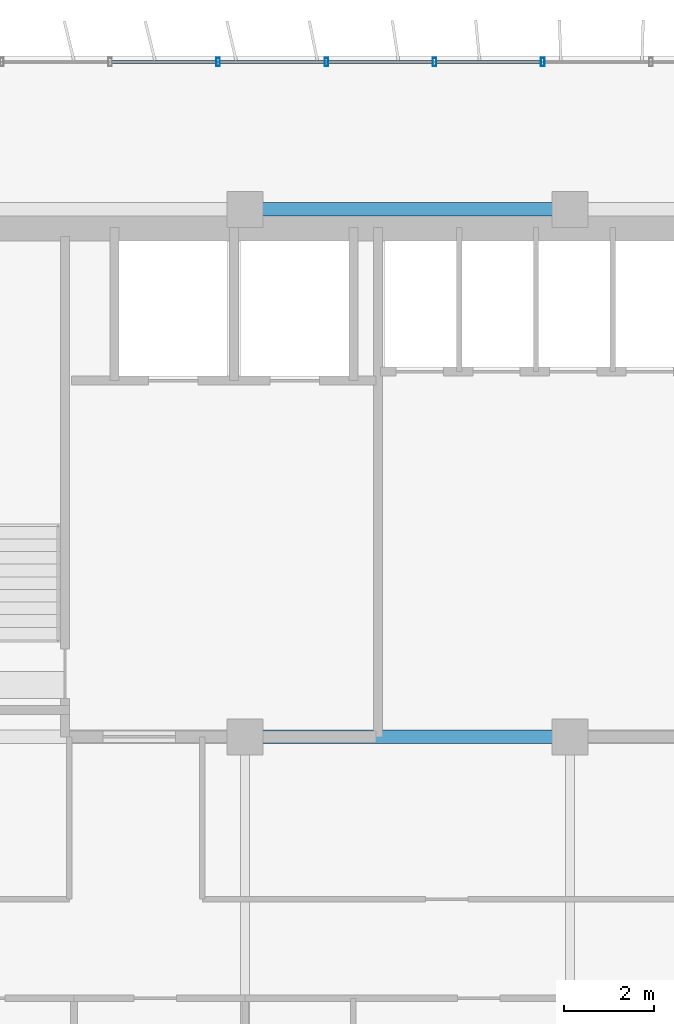
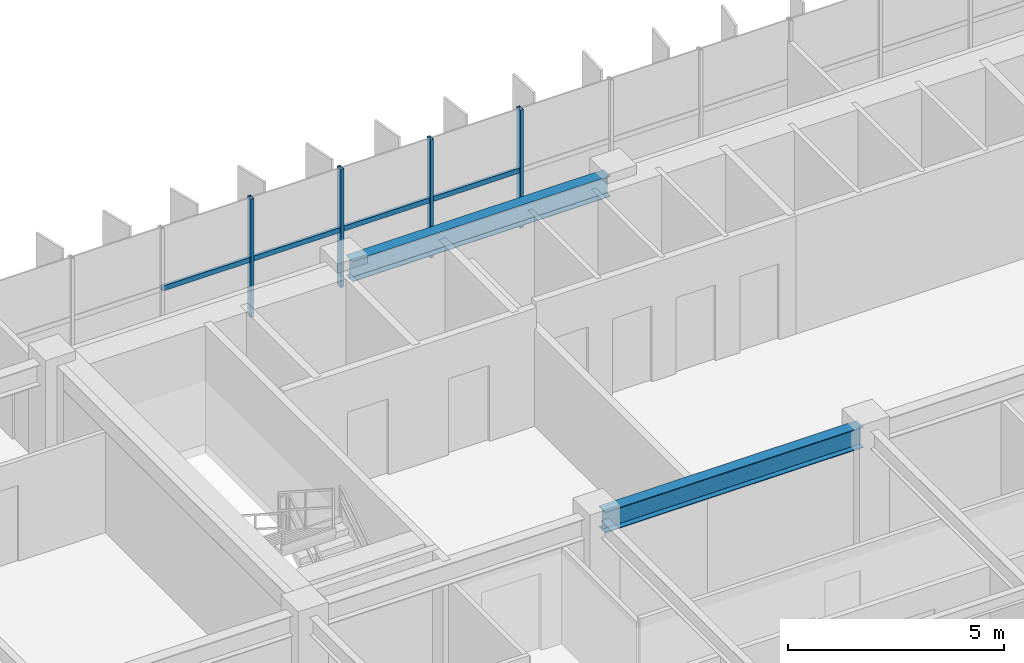
# One storey, part 6 of 22: 8 members, 2 beams, 1 element without a shape of its own.
"""IFC4 building model written with IfcOpenShell, lengths in metres."""

from ifc_helpers import new_model, si_unit, direction, frame, origin, origin_2d, place, context, subcontext, project, spatial, hollow_rectangle, i_section, extrude, source, transform, mapped, material, material_profile, profile_set, type_object, element, aggregate, save


model = new_model("IFC4")

# Units and contexts
model_context = context("Model", 3, precision=1e-05, world=origin(), true_north=direction((0.0, 1.0)))
body_context = subcontext(model_context, "Body", "Model", "MODEL_VIEW")
ifc_project = project(units=[si_unit("LENGTHUNIT", "METRE"), si_unit("AREAUNIT", "SQUARE_METRE"), si_unit("VOLUMEUNIT", "CUBIC_METRE"), si_unit("PLANEANGLEUNIT", "RADIAN"), si_unit("MASSUNIT", "GRAM", prefix="KILO")], contexts=[model_context])

# Site, building, storey
site_placement = place(None, origin())
site = spatial("IfcSite", under=ifc_project, at=site_placement, CompositionType="ELEMENT")
building_placement = place(site_placement, origin())
building = spatial("IfcBuilding", under=site, at=building_placement, Name="Trelvane Seafront Commons", CompositionType="ELEMENT")
storey_placement = place(building_placement, frame((0.0, 0.0, 92.5)))
storey = spatial("IfcBuildingStorey", under=building, at=storey_placement, Name="L23", CompositionType="ELEMENT", Elevation=92.5)

# Beams
ifc_material_1 = material(Name="Steel SM355 (S355)", Category="steel")
ifc_material_profile_1 = material_profile(ifc_material_1, i_section(OverallWidth=0.300048828125, OverallDepth=0.587890625, WebThickness=0.011962890625, FlangeThickness=0.02001953125, at=origin_2d()), Name="H-588x300x12x20")
ifc_profile_set_1 = profile_set([ifc_material_profile_1], Name="Steel SM355 (S355)")
beam_type = type_object("IfcBeamType", Name="STR-BM-H588", PredefinedType="BEAM", material=ifc_profile_set_1)
shared_shape_1 = source(origin(), body_context, "Body", "SweptSolid", [
    extrude(i_section(OverallWidth=0.300048828125, OverallDepth=0.587890625, WebThickness=0.011962890625, FlangeThickness=0.02001953125, at=origin_2d()), origin(), (0.0, 0.0, 1.0), 6.89990234375),
])
for number, where, z_axis, x_axis, name in (
    (1, (23.550048828125, 33.39990234375, 3.0458984375), (1.0, 0.0, 0.0), (0.0, 1.0, 0.0), "L23 Primary Girder G-22"),
    (2, (23.550048828125, 45.10009765625, 3.0458984375), (1.0, 0.0, 0.0), (0.0, 1.0, 0.0), "L23 Primary Girder G-31"),
):
    element("IfcBeam", number, at=place(storey_placement, frame(where, z_axis=z_axis, x_axis=x_axis)), inside=storey, type_object=beam_type, Name=name, PredefinedType="BEAM", context=body_context, shape_type="MappedRepresentation", body=[
        mapped(shared_shape_1, transform((0.0, 0.0, 0.0), x_axis=(1.0, 0.0, 0.0), y_axis=(0.0, 1.0, 0.0), z_axis=(0.0, 0.0, 1.0), scale=1.0)),
    ])

# Curtain wall, members
ifc_material_2 = material(Name="Anodised pale-silver aluminium", Category="aluminium")
curtain_wall_type = type_object("IfcCurtainWallType", Name="ARCH-CW4-SKYLOBBY", PredefinedType="NOTDEFINED", material=ifc_material_2)
curtain_wall_placement = place(storey_placement, origin())
curtain_wall = element("IfcCurtainWall", 3, at=curtain_wall_placement, inside=storey, type_object=curtain_wall_type, Name="CW-L23-0048", PredefinedType="NOTDEFINED")
ifc_material_profile_2 = material_profile(ifc_material_2, hollow_rectangle(XDim=0.074951171875, YDim=0.139892578125, WallThickness=0.00390625, at=origin_2d()), Name="TRAN-75x140x4")
ifc_profile_set_2 = profile_set([ifc_material_profile_2], Name="Anodised pale-silver aluminium")
member_type_1 = type_object("IfcMemberType", Name="ARCH-CW-TRAN-140", PredefinedType="USERDEFINED", material=ifc_profile_set_2)
shared_shape_2 = source(origin(), body_context, "Body", "SweptSolid", [
    extrude(hollow_rectangle(XDim=0.074951171875, YDim=0.139892578125, WallThickness=0.00390625, at=origin_2d()), origin(), (0.0, 0.0, 1.0), 2.3759765625),
])
member_1_placement = place(storey_placement, frame((20.412109375, 48.3701171875, 1.60302734375), z_axis=(1.0, 0.0, 0.0), x_axis=(0.0, 1.0, 0.0)))
member_1 = element("IfcMember", 4, at=member_1_placement, type_object=member_type_1, Name="CW-L23-0048-T02", ObjectType="TRANSOM", PredefinedType="USERDEFINED", context=body_context, shape_type="MappedRepresentation", body=[
    mapped(shared_shape_2, transform((0.0, 0.0, 0.0), x_axis=(1.0, 0.0, 0.0), y_axis=(0.0, 1.0, 0.0), z_axis=(0.0, 0.0, 1.0), scale=1.0)),
])
member_2_placement = place(storey_placement, frame((22.81201171875, 48.3701171875, 1.60302734375), z_axis=(1.0, 0.0, 0.0), x_axis=(0.0, 1.0, 0.0)))
member_2 = element("IfcMember", 5, at=member_2_placement, type_object=member_type_1, Name="CW-L23-0048-T03", ObjectType="TRANSOM", PredefinedType="USERDEFINED", context=body_context, shape_type="MappedRepresentation", body=[
    mapped(shared_shape_2, transform((0.0, 0.0, 0.0), x_axis=(1.0, 0.0, 0.0), y_axis=(0.0, 1.0, 0.0), z_axis=(0.0, 0.0, 1.0), scale=1.0)),
])
member_3_placement = place(storey_placement, frame((25.2119140625, 48.3701171875, 1.60302734375), z_axis=(1.0, 0.0, 0.0), x_axis=(0.0, 1.0, 0.0)))
member_3 = element("IfcMember", 6, at=member_3_placement, type_object=member_type_1, Name="CW-L23-0048-T04", ObjectType="TRANSOM", PredefinedType="USERDEFINED", context=body_context, shape_type="MappedRepresentation", body=[
    mapped(shared_shape_2, transform((0.0, 0.0, 0.0), x_axis=(1.0, 0.0, 0.0), y_axis=(0.0, 1.0, 0.0), z_axis=(0.0, 0.0, 1.0), scale=1.0)),
])
member_4_placement = place(storey_placement, frame((27.612060546875, 48.3701171875, 1.60302734375), z_axis=(1.0, 0.0, 0.0), x_axis=(0.0, 1.0, 0.0)))
member_4 = element("IfcMember", 7, at=member_4_placement, type_object=member_type_1, Name="CW-L23-0048-T05", ObjectType="TRANSOM", PredefinedType="USERDEFINED", context=body_context, shape_type="MappedRepresentation", body=[
    mapped(shared_shape_2, transform((0.0, 0.0, 0.0), x_axis=(1.0, 0.0, 0.0), y_axis=(0.0, 1.0, 0.0), z_axis=(0.0, 0.0, 1.0), scale=1.0)),
])
ifc_material_profile_3 = material_profile(ifc_material_2, hollow_rectangle(XDim=0.080078125, YDim=0.179931640625, WallThickness=0.00439453125, at=origin_2d()), Name="MULL-80x180x4.5")
ifc_profile_set_3 = profile_set([ifc_material_profile_3], Name="Anodised pale-silver aluminium")
member_type_2 = type_object("IfcMemberType", Name="ARCH-CW-MULL-180", PredefinedType="MULLION", material=ifc_profile_set_3)
shared_shape_3 = source(origin(), body_context, "Body", "SweptSolid", [
    extrude(hollow_rectangle(XDim=0.080078125, YDim=0.179931640625, WallThickness=0.00439453125, at=origin_2d()), origin(), (0.0, 0.0, 1.0), 3.340087890625),
])
member_5_placement = place(storey_placement, frame((22.800048828125, 48.3701171875, 0.0), z_axis=(0.0, 0.0, 1.0), x_axis=(1.0, 0.0, 0.0)))
member_5 = element("IfcMember", 8, at=member_5_placement, type_object=member_type_2, Name="CW-L23-0048-M03", PredefinedType="MULLION", context=body_context, shape_type="MappedRepresentation", body=[
    mapped(shared_shape_3, transform((0.0, 0.0, 0.0), x_axis=(1.0, 0.0, 0.0), y_axis=(0.0, 1.0, 0.0), z_axis=(0.0, 0.0, 1.0), scale=1.0)),
])
member_6_placement = place(storey_placement, frame((25.199951171875, 48.3701171875, 0.0), z_axis=(0.0, 0.0, 1.0), x_axis=(1.0, 0.0, 0.0)))
member_6 = element("IfcMember", 9, at=member_6_placement, type_object=member_type_2, Name="CW-L23-0048-M04", PredefinedType="MULLION", context=body_context, shape_type="MappedRepresentation", body=[
    mapped(shared_shape_3, transform((0.0, 0.0, 0.0), x_axis=(1.0, 0.0, 0.0), y_axis=(0.0, 1.0, 0.0), z_axis=(0.0, 0.0, 1.0), scale=1.0)),
])
member_7_placement = place(storey_placement, frame((27.60009765625, 48.3701171875, 0.0), z_axis=(0.0, 0.0, 1.0), x_axis=(1.0, 0.0, 0.0)))
member_7 = element("IfcMember", 10, at=member_7_placement, type_object=member_type_2, Name="CW-L23-0048-M05", PredefinedType="MULLION", context=body_context, shape_type="MappedRepresentation", body=[
    mapped(shared_shape_3, transform((0.0, 0.0, 0.0), x_axis=(1.0, 0.0, 0.0), y_axis=(0.0, 1.0, 0.0), z_axis=(0.0, 0.0, 1.0), scale=1.0)),
])
member_8_placement = place(storey_placement, frame((30.0, 48.3701171875, 0.0), z_axis=(0.0, 0.0, 1.0), x_axis=(1.0, 0.0, 0.0)))
member_8 = element("IfcMember", 11, at=member_8_placement, type_object=member_type_2, Name="CW-L23-0048-M06", PredefinedType="MULLION", context=body_context, shape_type="MappedRepresentation", body=[
    mapped(shared_shape_3, transform((0.0, 0.0, 0.0), x_axis=(1.0, 0.0, 0.0), y_axis=(0.0, 1.0, 0.0), z_axis=(0.0, 0.0, 1.0), scale=1.0)),
])
aggregate(curtain_wall, [member_5, member_6, member_7, member_8, member_1, member_2, member_3, member_4])

save(model, "model.ifc")
